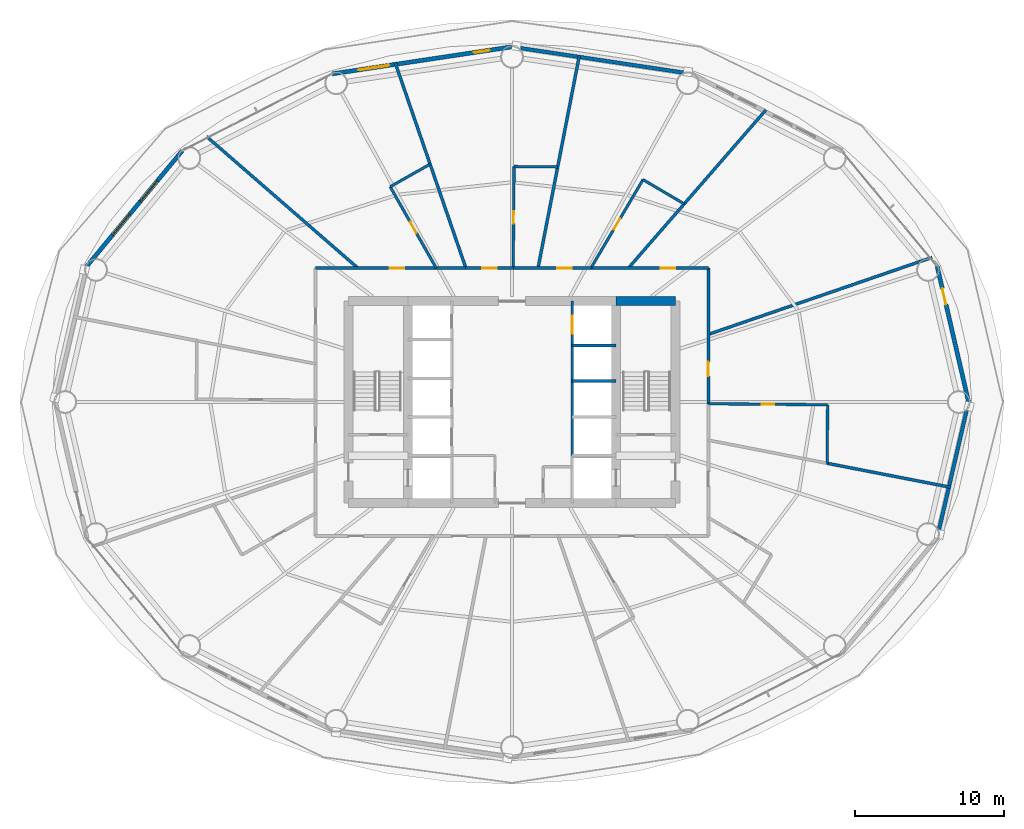
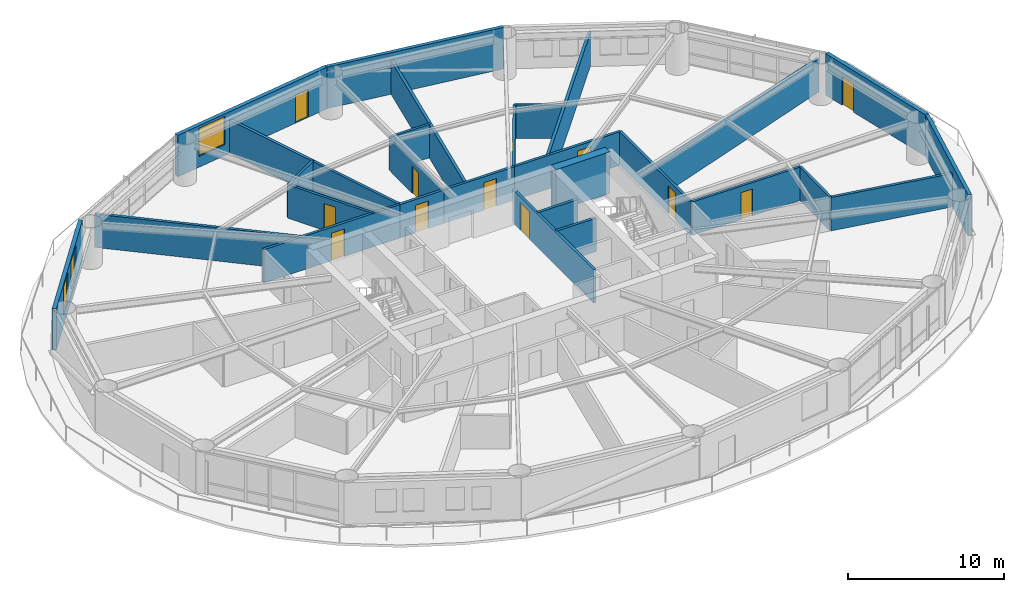
# One storey, part 23 of 27: 28 walls, 12 doors, 3 windows, 15 openings.
"""IFC4 building model written with IfcOpenShell, lengths in metres."""

import ifcopenshell
import ifcopenshell.guid

model = None  # the IFC model being written
_history = None  # IfcOwnerHistory: only IFC2X3 demands one
_inside = {}  # id of a spatial element -> (the spatial element, [elements in it])
_under = {}  # id of a project, library or spatial element -> (it, [spatial elements below it])
_declared = {}  # id of a project -> (the project, [libraries it declares])
_typed = {}  # id of a type object -> (the type object, [elements of that type])
_made_of = {}  # id of a material, layer set ... -> (it, [elements and type objects made of it])


def new_model(schema):
    """Start an empty IFC model of exactly this schema.

    Asked for "IFC4X3", IfcOpenShell would pick the latest addendum, in which some entities
    have other attributes; the version numbers below select the first issue.
    IFC2X3 requires an IfcOwnerHistory on every rooted entity: one is made here for all.
    """
    global model, _history
    if schema == "IFC4X3":
        model = ifcopenshell.file(schema_version=(4, 3, 0, 0))
    else:
        model = ifcopenshell.file(schema=schema)
    _inside.clear()
    _under.clear()
    _declared.clear()
    _typed.clear()
    _made_of.clear()
    _history = None
    if model.schema == "IFC2X3":
        org = make("IfcOrganization", Name="unknown")
        user = make(
            "IfcPersonAndOrganization",
            ThePerson=make("IfcPerson", FamilyName="unknown"),
            TheOrganization=org,
        )
        app = make(
            "IfcApplication",
            ApplicationDeveloper=org,
            Version="unknown",
            ApplicationFullName="unknown",
            ApplicationIdentifier="unknown",
        )
        _history = make(
            "IfcOwnerHistory",
            OwningUser=user,
            OwningApplication=app,
            ChangeAction="ADDED",
            CreationDate=0,
        )
    return model


def make(cls, **values):
    """One entity of the class cls with the attributes given. An attribute that is None is left unset."""
    return model.create_entity(
        cls, **{name: value for name, value in values.items() if value is not None}
    )


def rooted(cls, **values):
    """An entity with a GlobalId (a new one), such as an element, a storey or a relation."""
    return make(cls, GlobalId=ifcopenshell.guid.new(), OwnerHistory=_history, **values)


def si_unit(unit_type, name, prefix=None):
    """IfcSIUnit, for example si_unit("LENGTHUNIT", "METRE", prefix="MILLI")."""
    return make("IfcSIUnit", UnitType=unit_type, Prefix=prefix, Name=name)


def assignment(units):
    """IfcUnitAssignment: the units of a project."""
    return None if units is None else make("IfcUnitAssignment", Units=units)


def point(xyz):
    """IfcCartesianPoint."""
    return None if xyz is None else make("IfcCartesianPoint", Coordinates=xyz)


def direction(xyz):
    """IfcDirection."""
    return None if xyz is None else make("IfcDirection", DirectionRatios=xyz)


def frame(location, z_axis=None, x_axis=None):
    """IfcAxis2Placement3D, a coordinate frame: its origin and axes. An axis left out is left unset."""
    return make(
        "IfcAxis2Placement3D",
        Location=point(location),
        Axis=direction(z_axis),
        RefDirection=direction(x_axis),
    )


def frame_2d(location, x_axis=None):
    """IfcAxis2Placement2D, a coordinate frame in the plane: its origin and x axis."""
    return make(
        "IfcAxis2Placement2D", Location=point(location), RefDirection=direction(x_axis)
    )


def origin():
    """The frame at (0, 0, 0) with its axes left unset."""
    return frame((0.0, 0.0, 0.0))


def place(relative_to, where):
    """IfcLocalPlacement: puts the frame where relative to a parent placement (None: the world)."""
    return make(
        "IfcLocalPlacement", PlacementRelTo=relative_to, RelativePlacement=where
    )


def context(
    kind, dimensions, precision=None, world=None, true_north=None, identifier=None
):
    """IfcGeometricRepresentationContext, for example the 3D "Model" context."""
    return make(
        "IfcGeometricRepresentationContext",
        ContextIdentifier=identifier,
        ContextType=kind,
        CoordinateSpaceDimension=dimensions,
        Precision=precision,
        WorldCoordinateSystem=world,
        TrueNorth=true_north,
    )


def subcontext(parent, identifier, kind, view, scale=None):
    """IfcGeometricRepresentationSubContext, for example "Body" below "Model"."""
    return make(
        "IfcGeometricRepresentationSubContext",
        ContextIdentifier=identifier,
        ContextType=kind,
        ParentContext=parent,
        TargetScale=scale,
        TargetView=view,
    )


def project(units=None, contexts=None):
    """IfcProject with its units and contexts."""
    return rooted(
        "IfcProject",
        Name="project",
        RepresentationContexts=contexts,
        UnitsInContext=assignment(units),
    )


def spatial(cls, under=None, at=None, **own):
    """A site, building, storey or space (cls), placed at a placement, below another one or the project."""
    s = rooted(cls, ObjectPlacement=at, **own)
    if under is not None:
        _under.setdefault(under.id(), (under, []))[1].append(s)
    return s


def profile(cls, at=None, kind="AREA", **sizes):
    """A parametric profile (cls). Its sizes go by their IFC names, for example OverallWidth=200.0."""
    return make(cls, ProfileType=kind, Position=at, **sizes)


def rectangle(**sizes):
    """IfcRectangleProfileDef."""
    return profile("IfcRectangleProfileDef", **sizes)


def extrude(swept, where, along, depth):
    """IfcExtrudedAreaSolid: the profile swept, set in the frame where, extruded along a direction by depth."""
    return make(
        "IfcExtrudedAreaSolid",
        SweptArea=swept,
        Position=where,
        ExtrudedDirection=direction(along),
        Depth=depth,
    )


def shape(context_of_items, identifier, shape_type, items):
    """IfcShapeRepresentation: the items that make up one representation, for example the "Body"."""
    return make(
        "IfcShapeRepresentation",
        ContextOfItems=context_of_items,
        RepresentationIdentifier=identifier,
        RepresentationType=shape_type,
        Items=items,
    )


def material(Name=None, Category=None):
    """IfcMaterial."""
    return make("IfcMaterial", Name=Name, Category=Category)


def layer(
    of_material, thickness, ventilated=None, Name=None, Category=None, Priority=None
):
    """IfcMaterialLayer: one layer of a wall or slab, of a material (None: an air gap)."""
    return make(
        "IfcMaterialLayer",
        Material=of_material,
        LayerThickness=thickness,
        IsVentilated=ventilated,
        Name=Name,
        Category=Category,
        Priority=Priority,
    )


def layer_set(layers, Name=None):
    """IfcMaterialLayerSet."""
    return make("IfcMaterialLayerSet", MaterialLayers=layers, LayerSetName=Name)


def made_of(thing, what):
    """Note that an element or type object is made of a material, layer set ...; save() writes the relation."""
    if what is not None:
        _made_of.setdefault(what.id(), (what, []))[1].append(thing)
    return thing


def type_object(cls, material=None, **own):
    """A type object (cls), such as IfcWallType, which elements share."""
    return made_of(rooted(cls, **own), material)


def element(
    cls,
    number,
    at=None,
    inside=None,
    cuts=None,
    type_object=None,
    material=None,
    context=None,
    identifier="Body",
    shape_type=None,
    held_by="IfcProductDefinitionShape",
    body=None,
    shapes=None,
    **own,
):
    """One element of the class cls, such as IfcWall. Its Tag is "e" and its number.

    at: its placement. inside: the storey or other place that contains it. cuts: it is an
    opening in that element (IfcRelVoidsElement). A single representation is given by context,
    identifier, shape_type and body (its items); several are given by shapes. held_by: the class
    of the entity that holds the representations. save() writes the other relations.
    """
    e = rooted(cls, Tag="e%d" % number, ObjectPlacement=at, **own)
    if body is not None:
        shapes = [shape(context, identifier, shape_type, body)]
    if shapes is not None:
        e.Representation = make(held_by, Representations=shapes)
    if inside is not None:
        _inside.setdefault(inside.id(), (inside, []))[1].append(e)
    if cuts is not None:
        rooted(
            "IfcRelVoidsElement", RelatingBuildingElement=cuts, RelatedOpeningElement=e
        )
    if type_object is not None:
        _typed.setdefault(type_object.id(), (type_object, []))[1].append(e)
    return made_of(e, material)


def fill(opening, filler):
    """IfcRelFillsElement: the door or window that sits in an opening."""
    return rooted(
        "IfcRelFillsElement",
        RelatingOpeningElement=opening,
        RelatedBuildingElement=filler,
    )


def aggregate(whole, parts):
    """IfcRelAggregates: a whole, such as a stair, and the parts it consists of."""
    return rooted("IfcRelAggregates", RelatingObject=whole, RelatedObjects=parts)


def save(model, path):
    """Write the relations noted so far, then the file.

    IfcRelAggregates (storeys below a building ...), IfcRelContainedInSpatialStructure (elements
    in a storey), IfcRelDefinesByType, IfcRelAssociatesMaterial and IfcRelDeclares: one each for
    every whole, place, type object, material and project.
    """
    for whole, parts in _under.values():
        aggregate(whole, parts)
    for where, things in _inside.values():
        rooted(
            "IfcRelContainedInSpatialStructure",
            RelatedElements=things,
            RelatingStructure=where,
        )
    for kind, things in _typed.values():
        rooted("IfcRelDefinesByType", RelatedObjects=things, RelatingType=kind)
    for what, things in _made_of.values():
        rooted("IfcRelAssociatesMaterial", RelatedObjects=things, RelatingMaterial=what)
    for by, libraries in _declared.values():
        rooted("IfcRelDeclares", RelatingContext=by, RelatedDefinitions=libraries)
    model.write(path)


model = new_model("IFC4")

# Units and contexts
model_context = context("Model", 3, precision=1e-05, world=origin(), true_north=direction((0.0, 1.0)))
body_context = subcontext(model_context, "Body", "Model", "MODEL_VIEW")
ifc_project = project(units=[si_unit("LENGTHUNIT", "METRE"), si_unit("AREAUNIT", "SQUARE_METRE"), si_unit("VOLUMEUNIT", "CUBIC_METRE"), si_unit("PLANEANGLEUNIT", "RADIAN"), si_unit("MASSUNIT", "GRAM", prefix="KILO")], contexts=[model_context])

# Site, building, storey
site_placement = place(None, origin())
site = spatial("IfcSite", under=ifc_project, at=site_placement, CompositionType="ELEMENT")
building_placement = place(site_placement, origin())
building = spatial("IfcBuilding", under=site, at=building_placement, Name="Sarneth Arch Tower", CompositionType="ELEMENT")
storey_placement = place(building_placement, frame((0.0, 0.0, 75.0)))
storey = spatial("IfcBuildingStorey", under=building, at=storey_placement, Name="L18", CompositionType="ELEMENT", Elevation=75.0)

# Wall
ifc_material_1 = material(Name="Concrete C60/75", Category="concrete")
ifc_layer_1 = layer(ifc_material_1, 0.60009765625)
ifc_layer_set_1 = layer_set([ifc_layer_1], Name="Concrete C60/75")
wall_type_1 = type_object("IfcWallType", Name="WALL-CORE-600", PredefinedType="SHEAR", material=ifc_layer_set_1)
wall_1_placement = place(storey_placement, frame((55.0, 48.800048828125, 0.0), z_axis=(0.0, 0.0, 1.0), x_axis=(1.0, 0.0, 0.0)))
element("IfcWall", 1, at=wall_1_placement, inside=storey, type_object=wall_type_1, Name="L18 Core shear wall N-E", PredefinedType="SHEAR", context=body_context, shape_type="SweptSolid", body=[
    extrude(rectangle(XDim=4.0, YDim=0.60009765625, at=frame_2d((2.0, 0.0))), origin(), (0.0, 0.0, 1.0), 3.25),
])

# Wall, opening, door
ifc_material_2 = material(Name="Double steel-stud corridor fire wall", Category="steel")
ifc_layer_2 = layer(ifc_material_2, 0.18994140625)
ifc_layer_set_2 = layer_set([ifc_layer_2], Name="Double steel-stud corridor fire wall")
wall_type_2 = type_object("IfcWallType", Name="WALL-CORR-190", PredefinedType="PARTITIONING", material=ifc_layer_set_2)
wall_2_placement = place(storey_placement, frame((53.264404296875, 51.0, 0.0), z_axis=(0.0, 0.0, 1.0), x_axis=(1.0, 0.0, 0.0)))
wall_2 = element("IfcWall", 2, at=wall_2_placement, inside=storey, type_object=wall_type_2, Name="L18 Interior partition W-L18-TP-001", PredefinedType="PARTITIONING", context=body_context, shape_type="SweptSolid", body=[
    extrude(rectangle(XDim=7.935546875, YDim=0.18994140625, at=frame_2d((3.9677734375, 0.0))), origin(), (0.0, 0.0, 1.0), 2.610107421875),
])
opening_1_placement = place(wall_2_placement, frame((4.726318359375, 0.0, 0.0)))
opening_1 = element("IfcOpeningElement", 3, at=opening_1_placement, cuts=wall_2, Name="Opening FD-08", PredefinedType="OPENING", context=body_context, shape_type="SweptSolid", body=[
    extrude(rectangle(XDim=1.0, YDim=2.199951171875, at=frame_2d((0.5, 1.10009765625))), frame((0.0, 0.10498046875, 0.0), z_axis=(0.0, -1.0, 0.0), x_axis=(1.0, 0.0, 0.0)), (0.0, 0.0, 1.0), 0.2099609375),
])
ifc_material_3 = material(Name="Hardwood timber acoustic fire door", Category="wood")
door_type_1 = type_object("IfcDoorType", Name="DR-FD60-1000", OperationType="SINGLE_SWING_LEFT", PredefinedType="DOOR", material=ifc_material_3)
door_1_placement = place(opening_1_placement, origin())
door_1 = element("IfcDoor", 4, at=door_1_placement, inside=storey, type_object=door_type_1, Name="L18 Interior door DR-L18-AMN-01", OperationType="SINGLE_SWING_LEFT", OverallHeight=2.199951171875, OverallWidth=1.0, PredefinedType="DOOR", context=body_context, shape_type="SweptSolid", body=[
    extrude(rectangle(XDim=1.0, YDim=2.199951171875, at=frame_2d((0.5, 1.10009765625))), frame((0.0, 0.02490234375, 0.0), z_axis=(0.0, -1.0, 0.0), x_axis=(1.0, 0.0, 0.0)), (0.0, 0.0, 1.0), 0.050048828125),
])
fill(opening_1, door_1)

wall_3_placement = place(storey_placement, frame((34.800048828125, 51.0, 0.0), z_axis=(0.0, 0.0, 1.0), x_axis=(1.0, 0.0, 0.0)))
wall_3 = element("IfcWall", 5, at=wall_3_placement, inside=storey, type_object=wall_type_2, Name="L18 Interior partition W-L18-TP-007", PredefinedType="PARTITIONING", context=body_context, shape_type="SweptSolid", body=[
    extrude(rectangle(XDim=10.134765625, YDim=0.18994140625, at=frame_2d((5.0673828125, 0.0))), origin(), (0.0, 0.0, 1.0), 2.610107421875),
])
opening_2_placement = place(wall_3_placement, frame((4.996337890625, 0.0, 0.0)))
opening_2 = element("IfcOpeningElement", 6, at=opening_2_placement, cuts=wall_3, Name="Opening FD-09", PredefinedType="OPENING", context=body_context, shape_type="SweptSolid", body=[
    extrude(rectangle(XDim=0.949951171875, YDim=2.14990234375, at=frame_2d((0.47509765625, 1.074951171875))), frame((0.0, 0.10498046875, 0.0), z_axis=(0.0, -1.0, 0.0), x_axis=(1.0, 0.0, 0.0)), (0.0, 0.0, 1.0), 0.2099609375),
])
ifc_material_4 = material(Name="Hardwood timber hotel entrance fire door", Category="wood")
door_type_2 = type_object("IfcDoorType", Name="DR-FD60-950", OperationType="SINGLE_SWING_RIGHT", PredefinedType="DOOR", material=ifc_material_4)
door_2_placement = place(opening_2_placement, origin())
door_2 = element("IfcDoor", 7, at=door_2_placement, inside=storey, type_object=door_type_2, Name="L18 Interior door DR-L18-KEY-04", OperationType="SINGLE_SWING_LEFT", OverallHeight=2.14990234375, OverallWidth=0.949951171875, PredefinedType="DOOR", context=body_context, shape_type="SweptSolid", body=[
    extrude(rectangle(XDim=0.949951171875, YDim=2.14990234375, at=frame_2d((0.47509765625, 1.074951171875))), frame((0.0, 0.02490234375, 0.0), z_axis=(0.0, -1.0, 0.0), x_axis=(1.0, 0.0, 0.0)), (0.0, 0.0, 1.0), 0.050048828125),
])
fill(opening_2, door_2)

wall_4_placement = place(storey_placement, frame((61.199951171875, 51.0, 0.0), z_axis=(0.0, 0.0, 1.0), x_axis=(0.0, -1.0, 0.0)))
wall_4 = element("IfcWall", 8, at=wall_4_placement, inside=storey, type_object=wall_type_2, Name="L18 Interior partition W-L18-TP-024", PredefinedType="PARTITIONING", context=body_context, shape_type="SweptSolid", body=[
    extrude(rectangle(XDim=9.147216796875, YDim=0.18994140625, at=frame_2d((4.57373046875, 0.0))), origin(), (0.0, 0.0, 1.0), 2.610107421875),
])
opening_3_placement = place(wall_4_placement, frame((6.30908203125, 0.0, 0.0)))
opening_3 = element("IfcOpeningElement", 9, at=opening_3_placement, cuts=wall_4, Name="Opening FD-09", PredefinedType="OPENING", context=body_context, shape_type="SweptSolid", body=[
    extrude(rectangle(XDim=0.949951171875, YDim=2.14990234375, at=frame_2d((0.47509765625, 1.074951171875))), frame((0.0, 0.10498046875, 0.0), z_axis=(0.0, -1.0, 0.0), x_axis=(1.0, 0.0, 0.0)), (0.0, 0.0, 1.0), 0.2099609375),
])
door_3_placement = place(opening_3_placement, origin())
door_3 = element("IfcDoor", 10, at=door_3_placement, inside=storey, type_object=door_type_2, Name="L18 Interior door DR-L18-KEY-12", OperationType="SINGLE_SWING_RIGHT", OverallHeight=2.14990234375, OverallWidth=0.949951171875, PredefinedType="DOOR", context=body_context, shape_type="SweptSolid", body=[
    extrude(rectangle(XDim=0.949951171875, YDim=2.14990234375, at=frame_2d((0.47509765625, 1.074951171875))), frame((0.0, 0.02490234375, 0.0), z_axis=(0.0, -1.0, 0.0), x_axis=(1.0, 0.0, 0.0)), (0.0, 0.0, 1.0), 0.050048828125),
])
fill(opening_3, door_3)

wall_5_placement = place(storey_placement, frame((48.04638671875, 51.0, 0.0), z_axis=(0.0, 0.0, 1.0), x_axis=(1.0, 0.0, 0.0)))
wall_5 = element("IfcWall", 11, at=wall_5_placement, inside=storey, type_object=wall_type_2, Name="L18 Interior partition W-L18-TP-003", PredefinedType="PARTITIONING", context=body_context, shape_type="SweptSolid", body=[
    extrude(rectangle(XDim=5.2919921875, YDim=0.18994140625, at=frame_2d((2.64599609375, 0.0))), origin(), (0.0, 0.0, 1.0), 2.610107421875),
])
opening_4_placement = place(wall_5_placement, frame((3.006103515625, 0.0, 0.0)))
opening_4 = element("IfcOpeningElement", 12, at=opening_4_placement, cuts=wall_5, Name="Opening FD-09", PredefinedType="OPENING", context=body_context, shape_type="SweptSolid", body=[
    extrude(rectangle(XDim=0.949951171875, YDim=2.14990234375, at=frame_2d((0.47509765625, 1.074951171875))), frame((0.0, 0.10498046875, 0.0), z_axis=(0.0, -1.0, 0.0), x_axis=(1.0, 0.0, 0.0)), (0.0, 0.0, 1.0), 0.2099609375),
])
door_4_placement = place(opening_4_placement, origin())
door_4 = element("IfcDoor", 13, at=door_4_placement, inside=storey, type_object=door_type_2, Name="L18 Interior door DR-L18-KEY-02", OperationType="SINGLE_SWING_LEFT", OverallHeight=2.14990234375, OverallWidth=0.949951171875, PredefinedType="DOOR", context=body_context, shape_type="SweptSolid", body=[
    extrude(rectangle(XDim=0.949951171875, YDim=2.14990234375, at=frame_2d((0.47509765625, 1.074951171875))), frame((0.0, 0.02490234375, 0.0), z_axis=(0.0, -1.0, 0.0), x_axis=(1.0, 0.0, 0.0)), (0.0, 0.0, 1.0), 0.050048828125),
])
fill(opening_4, door_4)

wall_6_placement = place(storey_placement, frame((44.8671875, 51.0, 0.0), z_axis=(0.0, 0.0, 1.0), x_axis=(1.0, 0.0, 0.0)))
wall_6 = element("IfcWall", 14, at=wall_6_placement, inside=storey, type_object=wall_type_2, Name="L18 Interior partition W-L18-TP-005", PredefinedType="PARTITIONING", context=body_context, shape_type="SweptSolid", body=[
    extrude(rectangle(XDim=3.243408203125, YDim=0.18994140625, at=frame_2d((1.62158203125, 0.0))), origin(), (0.0, 0.0, 1.0), 2.610107421875),
])
opening_5_placement = place(wall_6_placement, frame((1.146484375, 0.0, 0.0)))
opening_5 = element("IfcOpeningElement", 15, at=opening_5_placement, cuts=wall_6, Name="Opening FD-09", PredefinedType="OPENING", context=body_context, shape_type="SweptSolid", body=[
    extrude(rectangle(XDim=0.949951171875, YDim=2.14990234375, at=frame_2d((0.47509765625, 1.074951171875))), frame((0.0, 0.10498046875, 0.0), z_axis=(0.0, -1.0, 0.0), x_axis=(1.0, 0.0, 0.0)), (0.0, 0.0, 1.0), 0.2099609375),
])
door_5_placement = place(opening_5_placement, origin())
door_5 = element("IfcDoor", 16, at=door_5_placement, inside=storey, type_object=door_type_2, Name="L18 Interior door DR-L18-KEY-03", OperationType="SINGLE_SWING_LEFT", OverallHeight=2.14990234375, OverallWidth=0.949951171875, PredefinedType="DOOR", context=body_context, shape_type="SweptSolid", body=[
    extrude(rectangle(XDim=0.949951171875, YDim=2.14990234375, at=frame_2d((0.47509765625, 1.074951171875))), frame((0.0, 0.02490234375, 0.0), z_axis=(0.0, -1.0, 0.0), x_axis=(1.0, 0.0, 0.0)), (0.0, 0.0, 1.0), 0.050048828125),
])
fill(opening_5, door_5)

# Walls
ifc_material_5 = material(Name="Extruded terracotta rainscreen on Concrete C40/50 backing", Category="masonry")
ifc_layer_3 = layer(ifc_material_5, 0.25)
ifc_layer_set_3 = layer_set([ifc_layer_3], Name="Extruded terracotta rainscreen on Concrete C40/50 backing")
wall_type_3 = type_object("IfcWallType", Name="WALL-EXT-SPAND-250", PredefinedType="SOLIDWALL", material=ifc_layer_set_3)
wall_7_placement = place(storey_placement, frame((60.077880859375, 64.062255859375, 0.0), z_axis=(0.0, 0.0, 1.0), x_axis=(-0.988864835849, 0.148816452121, 0.0)))
element("IfcWall", 17, at=wall_7_placement, inside=storey, type_object=wall_type_3, Name="L18 Terracotta perimeter wall 04", PredefinedType="SOLIDWALL", context=body_context, shape_type="SweptSolid", body=[
    extrude(rectangle(XDim=12.2138671875, YDim=0.25, at=frame_2d((6.10693359375, 0.0))), origin(), (0.0, 0.0, 1.0), 3.25),
])
wall_8_placement = place(storey_placement, frame((76.5810546875, 32.861572265625, 0.0), z_axis=(0.0, 0.0, 1.0), x_axis=(0.225454452941, 0.974253709076, 0.0)))
element("IfcWall", 18, at=wall_8_placement, inside=storey, type_object=wall_type_3, Name="L18 Terracotta perimeter wall 16", PredefinedType="SOLIDWALL", context=body_context, shape_type="SweptSolid", body=[
    extrude(rectangle(XDim=9.3798828125, YDim=0.25, at=frame_2d((4.68994140625, 0.0))), origin(), (0.0, 0.0, 1.0), 3.25),
])

# Wall, opening, door
ifc_material_6 = material(Name="Extruded terracotta rainscreen on Concrete C40/50 backing", Category="masonry")
ifc_layer_4 = layer(ifc_material_6, 0.280029296875)
ifc_layer_set_4 = layer_set([ifc_layer_4], Name="Extruded terracotta rainscreen on Concrete C40/50 backing")
wall_type_4 = type_object("IfcWallType", Name="WALL-EXT-TERRA-280", PredefinedType="SOLIDWALL", material=ifc_layer_set_4)
wall_9_placement = place(storey_placement, frame((78.69580078125, 42.0, 0.0), z_axis=(0.0, 0.0, 1.0), x_axis=(-0.225454452941, 0.974253709076, 0.0)))
wall_9 = element("IfcWall", 19, at=wall_9_placement, inside=storey, type_object=wall_type_4, Name="L18 Terracotta perimeter wall 01", PredefinedType="SOLIDWALL", context=body_context, shape_type="SweptSolid", body=[
    extrude(rectangle(XDim=9.3798828125, YDim=0.280029296875, at=frame_2d((4.68994140625, 0.0))), origin(), (0.0, 0.0, 1.0), 3.25),
])
opening_6_placement = place(wall_9_placement, frame((6.735107421875, 0.0, 0.0)))
opening_6 = element("IfcOpeningElement", 20, at=opening_6_placement, cuts=wall_9, Name="Opening BD-3", PredefinedType="OPENING", context=body_context, shape_type="SweptSolid", body=[
    extrude(rectangle(XDim=1.10009765625, YDim=2.25, at=frame_2d((0.550048828125, 1.125))), frame((0.0, 0.14990234375, 0.0), z_axis=(0.0, -1.0, 0.0), x_axis=(1.0, 0.0, 0.0)), (0.0, 0.0, 1.0), 0.300048828125),
])
ifc_material_7 = material(Name="Thermally broken Aluminium 6063-T6 and laminated safety glass", Category="aluminium")
door_type_3 = type_object("IfcDoorType", Name="DR-BALC-GLZ-1100", OperationType="SINGLE_SWING_LEFT", PredefinedType="DOOR", material=ifc_material_7)
door_6_placement = place(opening_6_placement, origin())
door_6 = element("IfcDoor", 21, at=door_6_placement, inside=storey, type_object=door_type_3, Name="L18 Balcony glazed door 01", OperationType="SINGLE_SWING_LEFT", OverallHeight=2.25, OverallWidth=1.10009765625, PredefinedType="DOOR", context=body_context, shape_type="SweptSolid", body=[
    extrude(rectangle(XDim=1.10009765625, YDim=2.25, at=frame_2d((0.550048828125, 1.125))), frame((0.0, 0.02490234375, 0.0), z_axis=(0.0, -1.0, 0.0), x_axis=(1.0, 0.0, 0.0)), (0.0, 0.0, 1.0), 0.050048828125),
])
fill(opening_6, door_6)

# Wall, openings, door, window
wall_10_placement = place(storey_placement, frame((48.0, 65.8798828125, 0.0), z_axis=(0.0, 0.0, 1.0), x_axis=(-0.988864835849, -0.148816452121, 0.0)))
wall_10 = element("IfcWall", 22, at=wall_10_placement, inside=storey, type_object=wall_type_4, Name="L18 Terracotta perimeter wall 05", PredefinedType="SOLIDWALL", context=body_context, shape_type="SweptSolid", body=[
    extrude(rectangle(XDim=12.2138671875, YDim=0.280029296875, at=frame_2d((6.10693359375, 0.0))), origin(), (0.0, 0.0, 1.0), 3.25),
])
opening_7_placement = place(wall_10_placement, frame((1.53125, 0.0, 0.0)))
opening_7 = element("IfcOpeningElement", 23, at=opening_7_placement, cuts=wall_10, Name="Opening BD-4", PredefinedType="OPENING", context=body_context, shape_type="SweptSolid", body=[
    extrude(rectangle(XDim=1.050048828125, YDim=2.199951171875, at=frame_2d((0.52490234375, 1.10009765625))), frame((0.0, 0.14990234375, 0.0), z_axis=(0.0, -1.0, 0.0), x_axis=(1.0, 0.0, 0.0)), (0.0, 0.0, 1.0), 0.300048828125),
])
opening_8_placement = place(wall_10_placement, frame((8.363525390625, 0.0, 0.85009765625)))
opening_8 = element("IfcOpeningElement", 24, at=opening_8_placement, cuts=wall_10, Name="Opening W-03", PredefinedType="OPENING", context=body_context, shape_type="SweptSolid", body=[
    extrude(rectangle(XDim=2.10009765625, YDim=2.199951171875, at=frame_2d((1.050048828125, 1.10009765625))), frame((0.0, 0.14990234375, 0.0), z_axis=(0.0, -1.0, 0.0), x_axis=(1.0, 0.0, 0.0)), (0.0, 0.0, 1.0), 0.300048828125),
])
ifc_material_8 = material(Name="Thermally broken Aluminium 6063-T6 and laminated safety glass", Category="aluminium")
door_type_4 = type_object("IfcDoorType", Name="DR-BALC-GLZ-1050", OperationType="SINGLE_SWING_RIGHT", PredefinedType="DOOR", material=ifc_material_8)
door_7_placement = place(opening_7_placement, origin())
door_7 = element("IfcDoor", 25, at=door_7_placement, inside=storey, type_object=door_type_4, Name="L18 Balcony glazed door 05", OperationType="SINGLE_SWING_RIGHT", OverallHeight=2.199951171875, OverallWidth=1.050048828125, PredefinedType="DOOR", context=body_context, shape_type="SweptSolid", body=[
    extrude(rectangle(XDim=1.050048828125, YDim=2.199951171875, at=frame_2d((0.52490234375, 1.10009765625))), frame((0.0, 0.02490234375, 0.0), z_axis=(0.0, -1.0, 0.0), x_axis=(1.0, 0.0, 0.0)), (0.0, 0.0, 1.0), 0.050048828125),
])
fill(opening_7, door_7)
ifc_material_9 = material(Name="Thermally broken Aluminium 6063-T6 and low-e laminated IGU", Category="aluminium")
window_type_1 = type_object("IfcWindowType", Name="WIN-TWR-2100x2200", PartitioningType="DOUBLE_PANEL_VERTICAL", PredefinedType="WINDOW", material=ifc_material_9)
window_1_placement = place(opening_8_placement, origin())
window_1 = element("IfcWindow", 26, at=window_1_placement, inside=storey, type_object=window_type_1, Name="L18 Exterior window 05A", OverallHeight=2.199951171875, OverallWidth=2.10009765625, PartitioningType="SINGLE_PANEL", PredefinedType="WINDOW", context=body_context, shape_type="SweptSolid", body=[
    extrude(rectangle(XDim=2.10009765625, YDim=2.199951171875, at=frame_2d((1.050048828125, 1.10009765625))), frame((0.0, 0.030029296875, 0.0), z_axis=(0.0, -1.0, 0.0), x_axis=(1.0, 0.0, 0.0)), (0.0, 0.0, 1.0), 0.06005859375),
])
fill(opening_8, window_1)

# Wall, openings, windows
wall_11_placement = place(storey_placement, frame((25.825927734375, 58.8857421875, 0.0), z_axis=(0.0, 0.0, 1.0), x_axis=(-0.637296809613, -0.770618437657, 0.0)))
wall_11 = element("IfcWall", 27, at=wall_11_placement, inside=storey, type_object=wall_type_4, Name="L18 Terracotta perimeter wall 07", PredefinedType="SOLIDWALL", context=body_context, shape_type="SweptSolid", body=[
    extrude(rectangle(XDim=10.053466796875, YDim=0.280029296875, at=frame_2d((5.02685546875, 0.0))), origin(), (0.0, 0.0, 1.0), 3.25),
])
opening_9_placement = place(wall_11_placement, frame((2.597900390625, 0.0, 0.85009765625)))
opening_9 = element("IfcOpeningElement", 28, at=opening_9_placement, cuts=wall_11, Name="Opening W-04", PredefinedType="OPENING", context=body_context, shape_type="SweptSolid", body=[
    extrude(rectangle(XDim=1.800048828125, YDim=2.199951171875, at=frame_2d((0.89990234375, 1.10009765625))), frame((0.0, 0.14990234375, 0.0), z_axis=(0.0, -1.0, 0.0), x_axis=(1.0, 0.0, 0.0)), (0.0, 0.0, 1.0), 0.300048828125),
])
opening_10_placement = place(wall_11_placement, frame((5.52978515625, 0.0, 0.85009765625)))
opening_10 = element("IfcOpeningElement", 29, at=opening_10_placement, cuts=wall_11, Name="Opening W-04", PredefinedType="OPENING", context=body_context, shape_type="SweptSolid", body=[
    extrude(rectangle(XDim=1.800048828125, YDim=2.199951171875, at=frame_2d((0.89990234375, 1.10009765625))), frame((0.0, 0.14990234375, 0.0), z_axis=(0.0, -1.0, 0.0), x_axis=(1.0, 0.0, 0.0)), (0.0, 0.0, 1.0), 0.300048828125),
])
ifc_material_10 = material(Name="Thermally broken Aluminium 6063-T6 and low-e laminated IGU", Category="aluminium")
window_type_2 = type_object("IfcWindowType", Name="WIN-TWR-1800x2200", PartitioningType="DOUBLE_PANEL_VERTICAL", PredefinedType="WINDOW", material=ifc_material_10)
window_2_placement = place(opening_9_placement, origin())
window_2 = element("IfcWindow", 30, at=window_2_placement, inside=storey, type_object=window_type_2, Name="L18 Exterior window 07A", OverallHeight=2.199951171875, OverallWidth=1.800048828125, PartitioningType="SINGLE_PANEL", PredefinedType="WINDOW", context=body_context, shape_type="SweptSolid", body=[
    extrude(rectangle(XDim=1.800048828125, YDim=2.199951171875, at=frame_2d((0.89990234375, 1.10009765625))), frame((0.0, 0.030029296875, 0.0), z_axis=(0.0, -1.0, 0.0), x_axis=(1.0, 0.0, 0.0)), (0.0, 0.0, 1.0), 0.06005859375),
])
fill(opening_9, window_2)
window_3_placement = place(opening_10_placement, origin())
window_3 = element("IfcWindow", 31, at=window_3_placement, inside=storey, type_object=window_type_2, Name="L18 Exterior window 07B", OverallHeight=2.199951171875, OverallWidth=1.800048828125, PartitioningType="SINGLE_PANEL", PredefinedType="WINDOW", context=body_context, shape_type="SweptSolid", body=[
    extrude(rectangle(XDim=1.800048828125, YDim=2.199951171875, at=frame_2d((0.89990234375, 1.10009765625))), frame((0.0, 0.030029296875, 0.0), z_axis=(0.0, -1.0, 0.0), x_axis=(1.0, 0.0, 0.0)), (0.0, 0.0, 1.0), 0.06005859375),
])
fill(opening_10, window_3)

# Wall, opening, door
ifc_material_11 = material(Name="Moisture-resistant plumbing chase wall", Category="gypsum")
ifc_layer_5 = layer(ifc_material_11, 0.179931640625)
ifc_layer_set_5 = layer_set([ifc_layer_5], Name="Moisture-resistant plumbing chase wall")
wall_type_5 = type_object("IfcWallType", Name="WALL-PLUMB-180", PredefinedType="PLUMBINGWALL", material=ifc_layer_set_5)
wall_12_placement = place(storey_placement, frame((61.199951171875, 41.884765625, 0.0), z_axis=(0.0, 0.0, 1.0), x_axis=(0.999961832732, -0.008736880358, 0.0)))
wall_12 = element("IfcWall", 32, at=wall_12_placement, inside=storey, type_object=wall_type_5, Name="L18 Interior partition W-L18-TP-063", PredefinedType="PLUMBINGWALL", context=body_context, shape_type="SweptSolid", body=[
    extrude(rectangle(XDim=8.019775390625, YDim=0.179931640625, at=frame_2d((4.009765625, 0.0))), origin(), (0.0, 0.0, 1.0), 2.610107421875),
])
opening_11_placement = place(wall_12_placement, frame((3.5849609375, 0.0, 0.0)))
opening_11 = element("IfcOpeningElement", 33, at=opening_11_placement, cuts=wall_12, Name="Opening ID-02", PredefinedType="OPENING", context=body_context, shape_type="SweptSolid", body=[
    extrude(rectangle(XDim=0.85009765625, YDim=2.10009765625, at=frame_2d((0.425048828125, 1.050048828125))), frame((0.0, 0.099853515625, 0.0), z_axis=(0.0, -1.0, 0.0), x_axis=(1.0, 0.0, 0.0)), (0.0, 0.0, 1.0), 0.199951171875),
])
ifc_material_12 = material(Name="Moisture-resistant bathroom timber door", Category="wood")
door_type_5 = type_object("IfcDoorType", Name="DR-INT-850", OperationType="SINGLE_SWING_RIGHT", PredefinedType="DOOR", material=ifc_material_12)
door_8_placement = place(opening_11_placement, origin())
door_8 = element("IfcDoor", 34, at=door_8_placement, inside=storey, type_object=door_type_5, Name="L18 Interior door DR-L18-ENS-12", OperationType="SINGLE_SWING_LEFT", OverallHeight=2.10009765625, OverallWidth=0.85009765625, PredefinedType="DOOR", context=body_context, shape_type="SweptSolid", body=[
    extrude(rectangle(XDim=0.85009765625, YDim=2.10009765625, at=frame_2d((0.425048828125, 1.050048828125))), frame((0.0, 0.02490234375, 0.0), z_axis=(0.0, -1.0, 0.0), x_axis=(1.0, 0.0, 0.0)), (0.0, 0.0, 1.0), 0.050048828125),
])
fill(opening_11, door_8)

wall_13_placement = place(storey_placement, frame((56.807373046875, 56.951904296875, 0.0), z_axis=(0.0, 0.0, 1.0), x_axis=(-0.507529744585, -0.861634236995, 0.0)))
wall_13 = element("IfcWall", 35, at=wall_13_placement, inside=storey, type_object=wall_type_5, Name="L18 Interior partition W-L18-TP-030", PredefinedType="PLUMBINGWALL", context=body_context, shape_type="SweptSolid", body=[
    extrude(rectangle(XDim=6.90771484375, YDim=0.179931640625, at=frame_2d((3.453857421875, 0.0))), origin(), (0.0, 0.0, 1.0), 2.610107421875),
])
opening_12_placement = place(wall_13_placement, frame((3.02880859375, 0.0, 0.0)))
opening_12 = element("IfcOpeningElement", 36, at=opening_12_placement, cuts=wall_13, Name="Opening ID-02", PredefinedType="OPENING", context=body_context, shape_type="SweptSolid", body=[
    extrude(rectangle(XDim=0.85009765625, YDim=2.10009765625, at=frame_2d((0.425048828125, 1.050048828125))), frame((0.0, 0.099853515625, 0.0), z_axis=(0.0, -1.0, 0.0), x_axis=(1.0, 0.0, 0.0)), (0.0, 0.0, 1.0), 0.199951171875),
])
door_9_placement = place(opening_12_placement, origin())
door_9 = element("IfcDoor", 37, at=door_9_placement, inside=storey, type_object=door_type_5, Name="L18 Interior door DR-L18-ENS-02", OperationType="SINGLE_SWING_LEFT", OverallHeight=2.10009765625, OverallWidth=0.85009765625, PredefinedType="DOOR", context=body_context, shape_type="SweptSolid", body=[
    extrude(rectangle(XDim=0.85009765625, YDim=2.10009765625, at=frame_2d((0.425048828125, 1.050048828125))), frame((0.0, 0.02490234375, 0.0), z_axis=(0.0, -1.0, 0.0), x_axis=(1.0, 0.0, 0.0)), (0.0, 0.0, 1.0), 0.050048828125),
])
fill(opening_12, door_9)

wall_14_placement = place(storey_placement, frame((48.13818359375, 57.830322265625, 0.0), z_axis=(0.0, 0.0, 1.0), x_axis=(-0.008721118088, -0.999961970327, 0.0)))
wall_14 = element("IfcWall", 38, at=wall_14_placement, inside=storey, type_object=wall_type_5, Name="L18 Interior partition W-L18-TP-034", PredefinedType="PLUMBINGWALL", context=body_context, shape_type="SweptSolid", body=[
    extrude(rectangle(XDim=6.83056640625, YDim=0.179931640625, at=frame_2d((3.415283203125, 0.0))), origin(), (0.0, 0.0, 1.0), 2.610107421875),
])
opening_13_placement = place(wall_14_placement, frame((2.990234375, 0.0, 0.0)))
opening_13 = element("IfcOpeningElement", 39, at=opening_13_placement, cuts=wall_14, Name="Opening ID-02", PredefinedType="OPENING", context=body_context, shape_type="SweptSolid", body=[
    extrude(rectangle(XDim=0.85009765625, YDim=2.10009765625, at=frame_2d((0.425048828125, 1.050048828125))), frame((0.0, 0.099853515625, 0.0), z_axis=(0.0, -1.0, 0.0), x_axis=(1.0, 0.0, 0.0)), (0.0, 0.0, 1.0), 0.199951171875),
])
door_10_placement = place(opening_13_placement, origin())
door_10 = element("IfcDoor", 40, at=door_10_placement, inside=storey, type_object=door_type_5, Name="L18 Interior door DR-L18-ENS-03", OperationType="SINGLE_SWING_LEFT", OverallHeight=2.10009765625, OverallWidth=0.85009765625, PredefinedType="DOOR", context=body_context, shape_type="SweptSolid", body=[
    extrude(rectangle(XDim=0.85009765625, YDim=2.10009765625, at=frame_2d((0.425048828125, 1.050048828125))), frame((0.0, 0.02490234375, 0.0), z_axis=(0.0, -1.0, 0.0), x_axis=(1.0, 0.0, 0.0)), (0.0, 0.0, 1.0), 0.050048828125),
])
fill(opening_13, door_10)

wall_15_placement = place(storey_placement, frame((39.811279296875, 56.473388671875, 0.0), z_axis=(0.0, 0.0, 1.0), x_axis=(0.492421798109, -0.870356692826, 0.0)))
wall_15 = element("IfcWall", 41, at=wall_15_placement, inside=storey, type_object=wall_type_5, Name="L18 Interior partition W-L18-TP-038", PredefinedType="PLUMBINGWALL", context=body_context, shape_type="SweptSolid", body=[
    extrude(rectangle(XDim=6.28857421875, YDim=0.179931640625, at=frame_2d((3.144287109375, 0.0))), origin(), (0.0, 0.0, 1.0), 2.610107421875),
])
opening_14_placement = place(wall_15_placement, frame((2.719482421875, 0.0, 0.0)))
opening_14 = element("IfcOpeningElement", 42, at=opening_14_placement, cuts=wall_15, Name="Opening ID-02", PredefinedType="OPENING", context=body_context, shape_type="SweptSolid", body=[
    extrude(rectangle(XDim=0.85009765625, YDim=2.10009765625, at=frame_2d((0.425048828125, 1.050048828125))), frame((0.0, 0.099853515625, 0.0), z_axis=(0.0, -1.0, 0.0), x_axis=(1.0, 0.0, 0.0)), (0.0, 0.0, 1.0), 0.199951171875),
])
door_11_placement = place(opening_14_placement, origin())
door_11 = element("IfcDoor", 43, at=door_11_placement, inside=storey, type_object=door_type_5, Name="L18 Interior door DR-L18-ENS-04", OperationType="SINGLE_SWING_LEFT", OverallHeight=2.10009765625, OverallWidth=0.85009765625, PredefinedType="DOOR", context=body_context, shape_type="SweptSolid", body=[
    extrude(rectangle(XDim=0.85009765625, YDim=2.10009765625, at=frame_2d((0.425048828125, 1.050048828125))), frame((0.0, 0.02490234375, 0.0), z_axis=(0.0, -1.0, 0.0), x_axis=(1.0, 0.0, 0.0)), (0.0, 0.0, 1.0), 0.050048828125),
])
fill(opening_14, door_11)

# Walls
wall_16_placement = place(storey_placement, frame((69.219482421875, 41.814697265625, 0.0), z_axis=(0.0, 0.0, 1.0), x_axis=(-0.008691005249, -0.999962232501, 0.0)))
element("IfcWall", 44, at=wall_16_placement, inside=storey, type_object=wall_type_5, Name="L18 Interior partition W-L18-TP-064", PredefinedType="PLUMBINGWALL", context=body_context, shape_type="SweptSolid", body=[
    extrude(rectangle(XDim=3.932861328125, YDim=0.179931640625, at=frame_2d((1.96630859375, 0.0))), origin(), (0.0, 0.0, 1.0), 2.610107421875),
])
wall_17_placement = place(storey_placement, frame((59.57861328125, 55.319580078125, 0.0), z_axis=(0.0, 0.0, 1.0), x_axis=(-0.861637458593, 0.507524275232, 0.0)))
element("IfcWall", 45, at=wall_17_placement, inside=storey, type_object=wall_type_5, Name="L18 Interior partition W-L18-TP-029", PredefinedType="PLUMBINGWALL", context=body_context, shape_type="SweptSolid", body=[
    extrude(rectangle(XDim=3.21630859375, YDim=0.179931640625, at=frame_2d((1.608154296875, 0.0))), origin(), (0.0, 0.0, 1.0), 2.610107421875),
])
wall_18_placement = place(storey_placement, frame((42.493896484375, 57.9912109375, 0.0), z_axis=(0.0, 0.0, 1.0), x_axis=(-0.87034589465, -0.492440883422, 0.0)))
element("IfcWall", 46, at=wall_18_placement, inside=storey, type_object=wall_type_5, Name="L18 Interior partition W-L18-TP-037", PredefinedType="PLUMBINGWALL", context=body_context, shape_type="SweptSolid", body=[
    extrude(rectangle(XDim=3.082275390625, YDim=0.179931640625, at=frame_2d((1.541015625, 0.0))), origin(), (0.0, 0.0, 1.0), 2.610107421875),
])
wall_19_placement = place(storey_placement, frame((51.072021484375, 57.8046875, 0.0), z_axis=(0.0, 0.0, 1.0), x_axis=(-0.999961829169, 0.00873728818, 0.0)))
element("IfcWall", 47, at=wall_19_placement, inside=storey, type_object=wall_type_5, Name="L18 Interior partition W-L18-TP-033", PredefinedType="PLUMBINGWALL", context=body_context, shape_type="SweptSolid", body=[
    extrude(rectangle(XDim=2.933837890625, YDim=0.179931640625, at=frame_2d((1.466796875, 0.0))), origin(), (0.0, 0.0, 1.0), 2.610107421875),
])

# Wall, opening, door
ifc_material_13 = material(Name="Aerated concrete blockwork C25/30", Category="masonry")
ifc_layer_6 = layer(ifc_material_13, 0.199951171875)
ifc_layer_set_6 = layer_set([ifc_layer_6], Name="Aerated concrete blockwork C25/30")
wall_type_6 = type_object("IfcWallType", Name="WALL-SHAFT-200", PredefinedType="SOLIDWALL", material=ifc_layer_set_6)
wall_20_placement = place(storey_placement, frame((52.050048828125, 38.39990234375, 0.0), z_axis=(0.0, 0.0, 1.0), x_axis=(0.0, 1.0, 0.0)))
wall_20 = element("IfcWall", 48, at=wall_20_placement, inside=storey, type_object=wall_type_6, Name="L18 Interior partition W-L18-EASTBANK-FRONT", PredefinedType="SOLIDWALL", context=body_context, shape_type="SweptSolid", body=[
    extrude(rectangle(XDim=10.400146484375, YDim=0.199951171875, at=frame_2d((5.2001953125, 0.0))), origin(), (0.0, 0.0, 1.0), 2.610107421875),
])
opening_15_placement = place(wall_20_placement, frame((8.199951171875, 0.0, 0.0)))
opening_15 = element("IfcOpeningElement", 49, at=opening_15_placement, cuts=wall_20, Name="Opening LD-2", PredefinedType="OPENING", context=body_context, shape_type="SweptSolid", body=[
    extrude(rectangle(XDim=1.199951171875, YDim=2.199951171875, at=frame_2d((0.60009765625, 1.10009765625))), frame((0.0, 0.10986328125, 0.0), z_axis=(0.0, -1.0, 0.0), x_axis=(1.0, 0.0, 0.0)), (0.0, 0.0, 1.0), 0.219970703125),
])
ifc_material_14 = material(Name="Brushed Stainless Steel 304 service lift door", Category="steel")
door_type_6 = type_object("IfcDoorType", Name="DR-LIFT-SLIDE-1200", OperationType="SLIDING_TO_RIGHT", PredefinedType="DOOR", material=ifc_material_14)
door_12_placement = place(opening_15_placement, origin())
door_12 = element("IfcDoor", 50, at=door_12_placement, inside=storey, type_object=door_type_6, Name="L18 Lift landing door DR-L18-LD-SL1", OperationType="SLIDING_TO_RIGHT", OverallHeight=2.199951171875, OverallWidth=1.199951171875, PredefinedType="DOOR", context=body_context, shape_type="SweptSolid", body=[
    extrude(rectangle(XDim=1.199951171875, YDim=2.199951171875, at=frame_2d((0.60009765625, 1.10009765625))), frame((0.0, 0.02490234375, 0.0), z_axis=(0.0, -1.0, 0.0), x_axis=(1.0, 0.0, 0.0)), (0.0, 0.0, 1.0), 0.050048828125),
])
fill(opening_15, door_12)

# Walls
for number, where, z_axis, x_axis, name in (
    (51, (52.050048828125, 43.419921875, 0.0), (0.0, 0.0, 1.0), (1.0, 0.0, 0.0), "L18 Interior partition W-L18-EB-DIV-4342"),
    (52, (52.050048828125, 45.800048828125, 0.0), (0.0, 0.0, 1.0), (1.0, 0.0, 0.0), "L18 Interior partition W-L18-EB-DIV-4580"),
):
    element("IfcWall", number, at=place(storey_placement, frame(where, z_axis=z_axis, x_axis=x_axis)), inside=storey, type_object=wall_type_6, Name=name, PredefinedType="SOLIDWALL", context=body_context, shape_type="SweptSolid", body=[
        extrude(rectangle(XDim=2.949951171875, YDim=0.199951171875, at=frame_2d((1.47509765625, 0.0))), origin(), (0.0, 0.0, 1.0), 2.610107421875),
    ])
ifc_material_15 = material(Name="Double steel-stud acoustic drywall", Category="steel")
ifc_layer_7 = layer(ifc_material_15, 0.199951171875)
ifc_layer_set_7 = layer_set([ifc_layer_7], Name="Double steel-stud acoustic drywall")
wall_type_7 = type_object("IfcWallType", Name="WALL-UNIT-200", PredefinedType="PARTITIONING", material=ifc_layer_set_7)
wall_21_placement = place(storey_placement, frame((61.199951171875, 46.545166015625, 0.0), z_axis=(0.0, 0.0, 1.0), x_axis=(0.945518845989, 0.325567369186, 0.0)))
element("IfcWall", 53, at=wall_21_placement, inside=storey, type_object=wall_type_7, Name="L18 Interior partition W-L18-TP-028", PredefinedType="PARTITIONING", context=body_context, shape_type="SweptSolid", body=[
    extrude(rectangle(XDim=15.908935546875, YDim=0.199951171875, at=frame_2d((7.95458984375, 0.0))), origin(), (0.0, 0.0, 1.0), 2.610107421875),
])
wall_22_placement = place(storey_placement, frame((37.646728515625, 51.0, 0.0), z_axis=(0.0, 0.0, 1.0), x_axis=(-0.754713815472, 0.656054156862, 0.0)))
element("IfcWall", 54, at=wall_22_placement, inside=storey, type_object=wall_type_7, Name="L18 Interior partition W-L18-TP-039", PredefinedType="PARTITIONING", context=body_context, shape_type="SweptSolid", body=[
    extrude(rectangle(XDim=13.491455078125, YDim=0.199951171875, at=frame_2d((6.74560546875, 0.0))), origin(), (0.0, 0.0, 1.0), 2.610107421875),
])
wall_23_placement = place(storey_placement, frame((77.4921875, 36.267333984375, 0.0), z_axis=(0.0, 0.0, 1.0), x_axis=(-0.981626048747, 0.190814832812, 0.0)))
element("IfcWall", 55, at=wall_23_placement, inside=storey, type_object=wall_type_7, Name="L18 Interior partition W-L18-TP-061", PredefinedType="PARTITIONING", context=body_context, shape_type="SweptSolid", body=[
    extrude(rectangle(XDim=8.46240234375, YDim=0.199951171875, at=frame_2d((4.231201171875, 0.0))), origin(), (0.0, 0.0, 1.0), 2.610107421875),
])
wall_24_placement = place(storey_placement, frame((55.823486328125, 51.0, 0.0), z_axis=(0.0, 0.0, 1.0), x_axis=(0.656066321773, 0.754703240641, 0.0)))
element("IfcWall", 56, at=wall_24_placement, inside=storey, type_object=wall_type_7, Name="L18 Interior partition W-L18-TP-026", PredefinedType="PARTITIONING", context=body_context, shape_type="SweptSolid", body=[
    extrude(rectangle(XDim=14.091064453125, YDim=0.199951171875, at=frame_2d((7.04541015625, 0.0))), origin(), (0.0, 0.0, 1.0), 2.610107421875),
])
wall_25_placement = place(storey_placement, frame((49.749267578125, 51.0, 0.0), z_axis=(0.0, 0.0, 1.0), x_axis=(0.190815454206, 0.981625927956, 0.0)))
element("IfcWall", 57, at=wall_25_placement, inside=storey, type_object=wall_type_7, Name="L18 Interior partition W-L18-TP-031", PredefinedType="PARTITIONING", context=body_context, shape_type="SweptSolid", body=[
    extrude(rectangle(XDim=14.587158203125, YDim=0.199951171875, at=frame_2d((7.29345703125, 0.0))), origin(), (0.0, 0.0, 1.0), 2.610107421875),
])
wall_26_placement = place(storey_placement, frame((44.901123046875, 51.0, 0.0), z_axis=(0.0, 0.0, 1.0), x_axis=(-0.325569992405, 0.945517942741, 0.0)))
element("IfcWall", 58, at=wall_26_placement, inside=storey, type_object=wall_type_7, Name="L18 Interior partition W-L18-TP-036", PredefinedType="PARTITIONING", context=body_context, shape_type="SweptSolid", body=[
    extrude(rectangle(XDim=14.613037109375, YDim=0.199951171875, at=frame_2d((7.306640625, 0.0))), origin(), (0.0, 0.0, 1.0), 2.610107421875),
])

save(model, "model.ifc")
